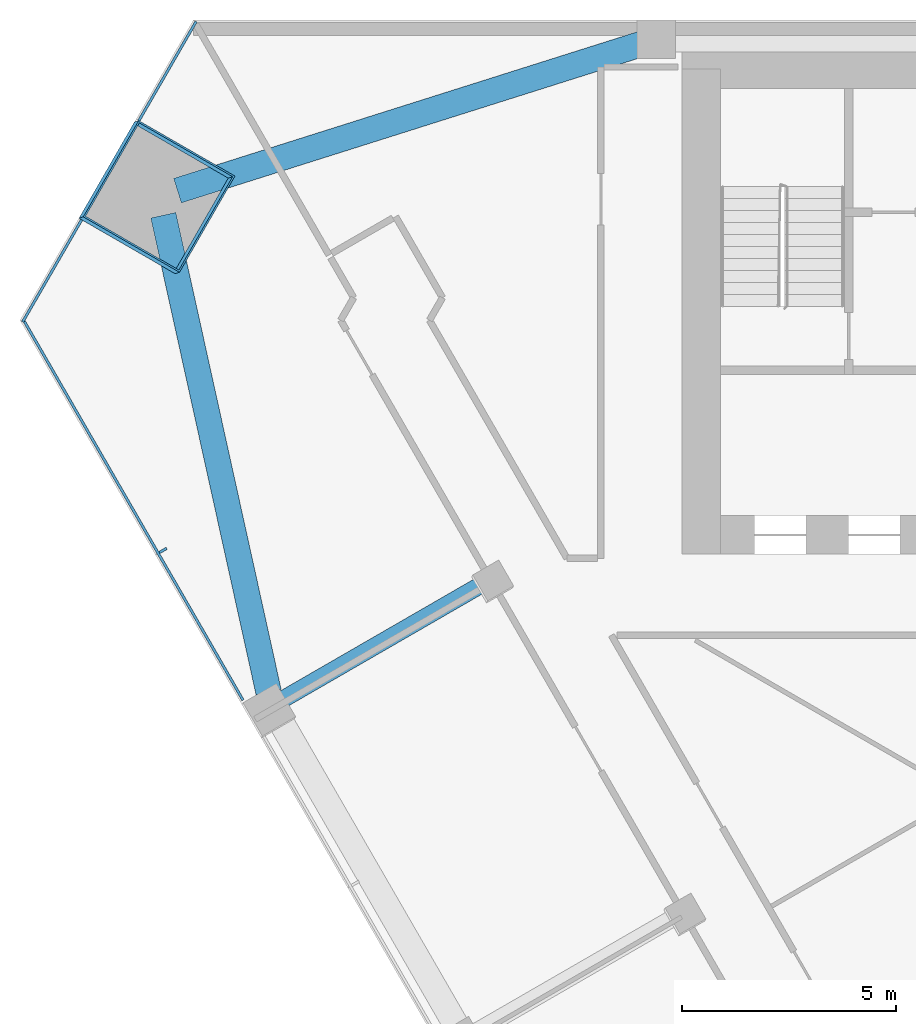
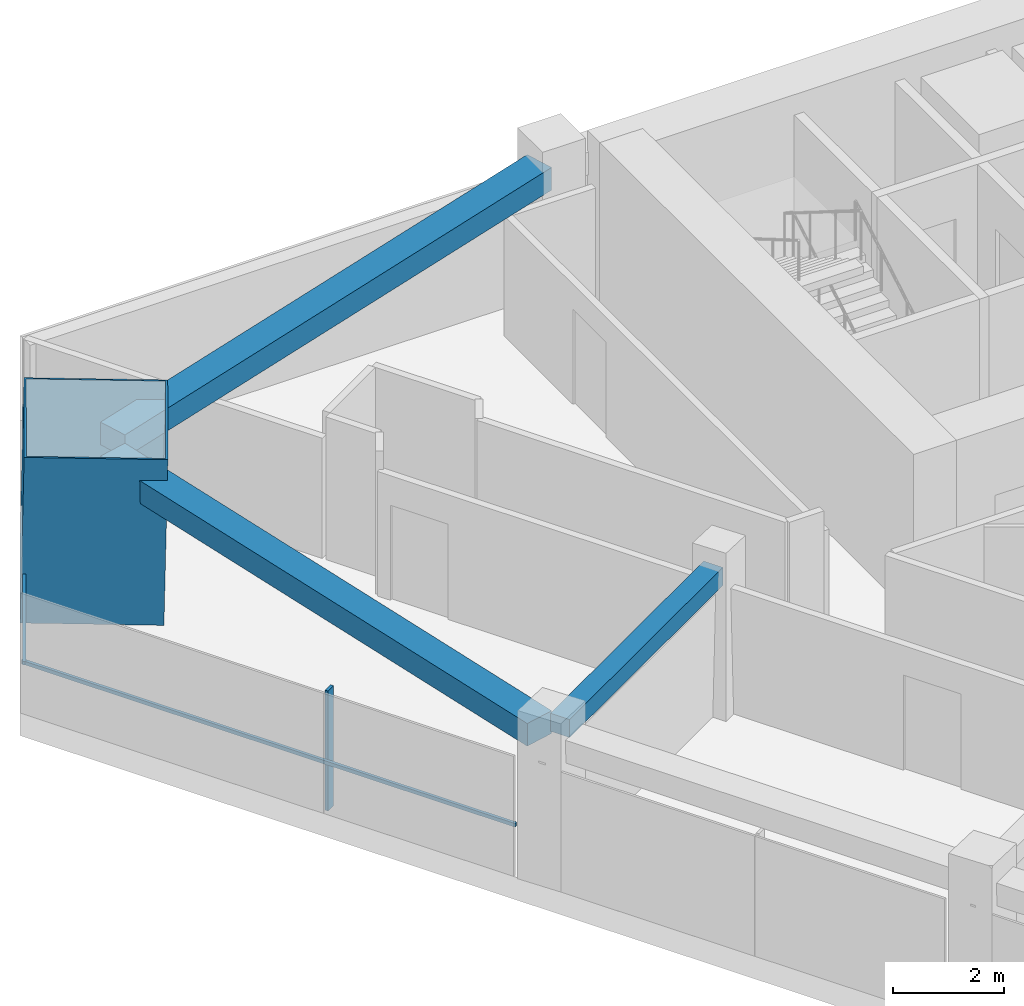
# One storey, part 5 of 14: 5 members, 3 beams, 2 elements without a shape of their own.
"""IFC4 building model written with IfcOpenShell, lengths in metres."""

from ifc_helpers import new_model, si_unit, direction, frame, origin, origin_2d, place, context, subcontext, project, spatial, rectangle, hollow_rectangle, extrude, material, layer, layer_set, material_profile, profile_set, type_object, element, aggregate, save


model = new_model("IFC4")

# Units and contexts
model_context = context("Model", 3, precision=1e-05, world=origin(), true_north=direction((0.0, 1.0)))
body_context = subcontext(model_context, "Body", "Model", "MODEL_VIEW")
ifc_project = project(units=[si_unit("LENGTHUNIT", "METRE"), si_unit("AREAUNIT", "SQUARE_METRE"), si_unit("VOLUMEUNIT", "CUBIC_METRE"), si_unit("PLANEANGLEUNIT", "RADIAN"), si_unit("MASSUNIT", "GRAM", prefix="KILO")], contexts=[model_context])

# Site, building, storey
site_placement = place(None, origin())
site = spatial("IfcSite", under=ifc_project, at=site_placement, CompositionType="ELEMENT")
building_placement = place(site_placement, origin())
building = spatial("IfcBuilding", under=site, at=building_placement, Name="Altiplano Prism Tower", CompositionType="ELEMENT")
storey_placement = place(building_placement, frame((0.0, 0.0, 115.199951171875)))
storey = spatial("IfcBuildingStorey", under=building, at=storey_placement, Name="L29", CompositionType="ELEMENT", Elevation=115.199951171875)

# Curtain wall, member
ifc_material_1 = material(Name="Aluminium and glass", Category="aluminium")
ifc_layer = layer(ifc_material_1, 0.303955078125)
ifc_layer_set = layer_set([ifc_layer], Name="Aluminium and glass")
curtain_wall_type = type_object("IfcCurtainWallType", Name="CW2 lounge-band unitised glazing", PredefinedType="NOTDEFINED", material=ifc_layer_set)
curtain_wall_1_placement = place(storey_placement, origin())
curtain_wall_1 = element("IfcCurtainWall", 1, at=curtain_wall_1_placement, inside=storey, type_object=curtain_wall_type, Name="CW2 curtain wall south-west face L29", PredefinedType="NOTDEFINED")
ifc_material_2 = material(Name="Aluminium", Category="aluminium")
ifc_material_profile_1 = material_profile(ifc_material_2, rectangle(XDim=0.199951171875, YDim=0.06005859375, at=origin_2d()), Name="CW2 mullion 60 x 200")
ifc_profile_set_1 = profile_set([ifc_material_profile_1], Name="Aluminium")
member_type_1 = type_object("IfcMemberType", Name="CW2 mullion 60 x 200", PredefinedType="MULLION", material=ifc_profile_set_1)
member_1_placement = place(storey_placement, frame((59.949951171875, 92.584716796875, 0.0), z_axis=(0.0, 0.0, 1.0), x_axis=(0.866025407711, 0.499999993198, 0.0)))
member_1 = element("IfcMember", 2, at=member_1_placement, type_object=member_type_1, Name="CW2 mullion", PredefinedType="MULLION", context=body_context, shape_type="SweptSolid", body=[
    extrude(rectangle(XDim=0.199951171875, YDim=0.06005859375, at=origin_2d()), origin(), (0.0, 0.0, 1.0), 2.650146484375),
])

# Curtain wall, members
curtain_wall_2_placement = place(storey_placement, origin())
curtain_wall_2 = element("IfcCurtainWall", 3, at=curtain_wall_2_placement, inside=storey, type_object=curtain_wall_type, Name="CW2 curtain wall north-west chamfer L29", PredefinedType="NOTDEFINED")
ifc_material_profile_2 = material_profile(ifc_material_2, rectangle(XDim=0.06005859375, YDim=0.080078125, at=origin_2d()), Name="CW2 transom 80 x 60")
ifc_profile_set_2 = profile_set([ifc_material_profile_2], Name="Aluminium")
member_type_2 = type_object("IfcMemberType", Name="CW2 transom 80 x 60", PredefinedType="USERDEFINED", material=ifc_profile_set_2)
member_2_placement = place(storey_placement, frame((60.724853515625, 104.962890625, 1.10009765625), z_axis=(-0.500032956655, -0.866006375415, 0.0), x_axis=(0.866006375415, -0.500032956655, 0.0)))
member_2 = element("IfcMember", 4, at=member_2_placement, type_object=member_type_2, Name="CW2 transom", ObjectType="TRANSOM", PredefinedType="USERDEFINED", context=body_context, shape_type="SweptSolid", body=[
    extrude(rectangle(XDim=0.06005859375, YDim=0.080078125, at=origin_2d()), origin(), (0.0, 0.0, 1.0), 2.677001953125),
])
member_3_placement = place(storey_placement, frame((58.046142578125, 100.32373046875, 1.10009765625), z_axis=(-0.499929406358, -0.866066157207, 0.0), x_axis=(0.866066157207, -0.499929406358, 0.0)))
member_3 = element("IfcMember", 5, at=member_3_placement, type_object=member_type_2, Name="CW2 transom", ObjectType="TRANSOM", PredefinedType="USERDEFINED", context=body_context, shape_type="SweptSolid", body=[
    extrude(rectangle(XDim=0.06005859375, YDim=0.080078125, at=origin_2d()), origin(), (0.0, 0.0, 1.0), 2.75732421875),
])
aggregate(curtain_wall_2, [member_2, member_3])

# Member
member_4_placement = place(storey_placement, frame((56.667724609375, 98.009765625, 1.10009765625), z_axis=(0.499995085744, -0.866028241013, 0.0), x_axis=(0.866028241013, 0.499995085744, 0.0)))
member_4 = element("IfcMember", 6, at=member_4_placement, type_object=member_type_2, Name="CW2 transom", ObjectType="TRANSOM", PredefinedType="USERDEFINED", context=body_context, shape_type="SweptSolid", body=[
    extrude(rectangle(XDim=0.06005859375, YDim=0.080078125, at=origin_2d()), origin(), (0.0, 0.0, 1.0), 10.3095703125),
])

aggregate(curtain_wall_1, [member_1, member_4])

# Beams
ifc_material_3 = material(Name="Concrete C60/75", Category="concrete")
ifc_material_profile_3 = material_profile(ifc_material_3, rectangle(XDim=0.60009765625, YDim=0.5, at=origin_2d()), Name="Edge beam 600x500")
ifc_profile_set_3 = profile_set([ifc_material_profile_3], Name="Concrete C60/75")
beam_type_1 = type_object("IfcBeamType", Name="Edge beam 600x500", PredefinedType="SPANDREL", material=ifc_profile_set_3)
for number, where, z_axis, x_axis, name in (
    (7, (71.189453125, 104.451904296875, 2.900146484375), (-0.953472541057, -0.301479872379, 0.0), (0.301479872379, -0.953472541057, 0.0), "Edge beam P04-M0 L30"),
    (8, (59.957275390625, 100.430419921875, 2.900146484375), (0.21565043343, -0.976470629646, 0.0), (0.976470629646, 0.21565043343, 0.0), "Edge beam M0-P11 L30"),
):
    element("IfcBeam", number, at=place(storey_placement, frame(where, z_axis=z_axis, x_axis=x_axis)), inside=storey, type_object=beam_type_1, Name=name, PredefinedType="SPANDREL", context=body_context, shape_type="SweptSolid", body=[
        extrude(rectangle(XDim=0.60009765625, YDim=0.5, at=origin_2d()), origin(), (0.0, 0.0, 1.0), 11.43212890625),
    ])

# Member
ifc_material_4 = material(Name="Steel S460", Category="steel")
ifc_material_profile_4 = material_profile(ifc_material_4, hollow_rectangle(XDim=2.60009765625, YDim=2.60009765625, WallThickness=0.0400390625, at=origin_2d()), Name="Mega column tube 2600")
ifc_profile_set_4 = profile_set([ifc_material_profile_4], Name="Steel S460")
member_type_3 = type_object("IfcMemberType", Name="Mega column tube 2600", PredefinedType="POST", material=ifc_profile_set_4)
member_5_placement = place(storey_placement, frame((59.7578125, 100.83642578125, 0.0), z_axis=(0.028401796786, 0.009286506348, 0.999553449666), x_axis=(-0.866201889843, 0.499294831899, 0.019973904779)))
element("IfcMember", 9, at=member_5_placement, inside=storey, type_object=member_type_3, Name="Mega column tube M0 L29", PredefinedType="POST", context=body_context, shape_type="SweptSolid", body=[
    extrude(hollow_rectangle(XDim=2.60009765625, YDim=2.60009765625, WallThickness=0.0400390625, at=origin_2d()), origin(), (0.0, 0.0, 1.0), 3.601806640625),
])

# Beam
ifc_material_profile_5 = material_profile(ifc_material_3, rectangle(XDim=0.39990234375, YDim=0.39990234375, at=origin_2d()), Name="Tie beam 400x400")
ifc_profile_set_5 = profile_set([ifc_material_profile_5], Name="Concrete C60/75")
beam_type_2 = type_object("IfcBeamType", Name="Tie beam 400x400", PredefinedType="BEAM", material=ifc_profile_set_5)
beam_placement = place(storey_placement, frame((67.554931640625, 91.871826171875, 2.949951171875), z_axis=(-0.866027073272, -0.499997108352, 0.0), x_axis=(0.499997108352, -0.866027073272, 0.0)))
element("IfcBeam", 10, at=beam_placement, inside=storey, type_object=beam_type_2, Name="Tie beam I11 L30", PredefinedType="BEAM", context=body_context, shape_type="SweptSolid", body=[
    extrude(rectangle(XDim=0.39990234375, YDim=0.39990234375, at=origin_2d()), origin(), (0.0, 0.0, 1.0), 5.5400390625),
])

save(model, "model.ifc")
